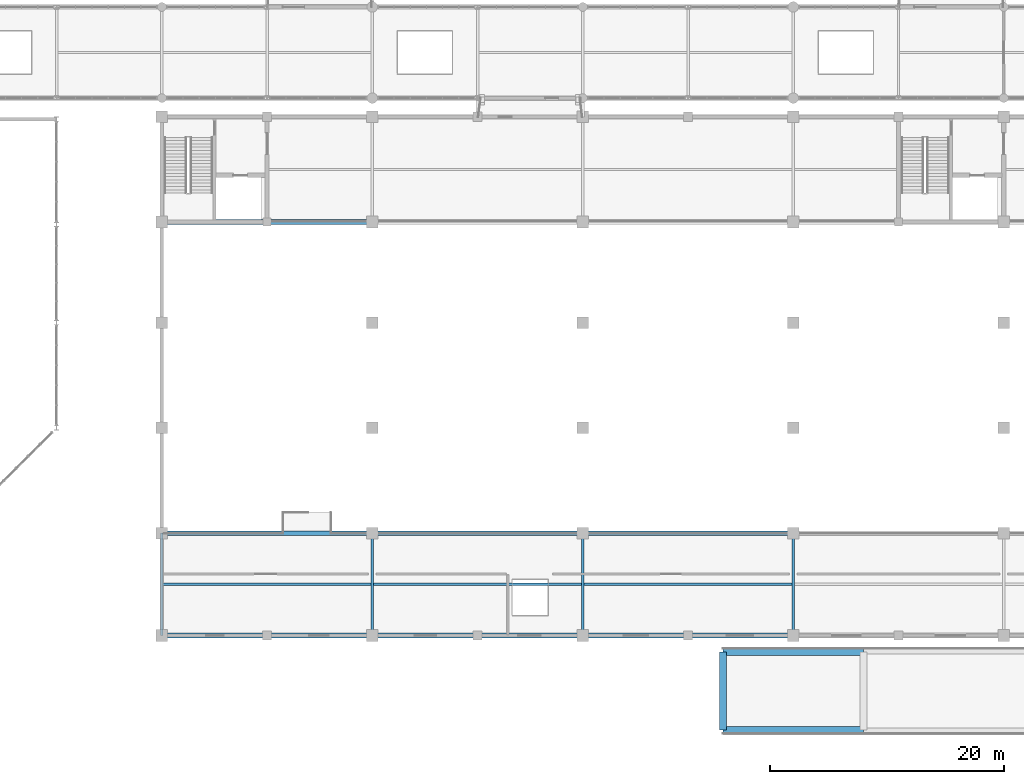
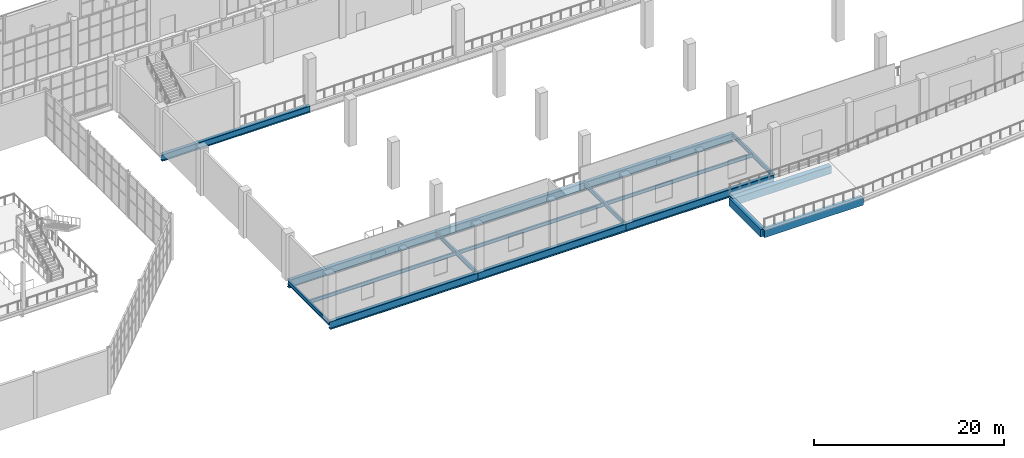
# One storey, part 37 of 159: 17 beams.
"""IFC4 building model written with IfcOpenShell, lengths in metres."""

from ifc_helpers import new_model, si_unit, direction, frame, origin, origin_2d, place, context, subcontext, project, spatial, rectangle, i_section, extrude, material, material_profile, profile_set, type_object, element, save


model = new_model("IFC4")

# Units and contexts
model_context = context("Model", 3, precision=1e-05, world=origin(), true_north=direction((0.0, 1.0)))
body_context = subcontext(model_context, "Body", "Model", "MODEL_VIEW")
ifc_project = project(units=[si_unit("LENGTHUNIT", "METRE"), si_unit("AREAUNIT", "SQUARE_METRE"), si_unit("VOLUMEUNIT", "CUBIC_METRE"), si_unit("PLANEANGLEUNIT", "RADIAN"), si_unit("MASSUNIT", "GRAM", prefix="KILO")], contexts=[model_context])

# Site, building, storey
site_placement = place(None, origin())
site = spatial("IfcSite", under=ifc_project, at=site_placement, CompositionType="ELEMENT")
building_placement = place(site_placement, origin())
building = spatial("IfcBuilding", under=site, at=building_placement, Name="Cazmaro Siding Exhibition Halls", CompositionType="ELEMENT")
storey_placement = place(building_placement, frame((0.0, 0.0, 6.0)))
storey = spatial("IfcBuildingStorey", under=building, at=storey_placement, Name="L01", CompositionType="ELEMENT", Elevation=6.0)

# Beams
ifc_material_1 = material(Name="Steel ASTM A992 Grade 50", Category="steel")
ifc_material_profile_1 = material_profile(ifc_material_1, i_section(OverallWidth=0.214111328125, OverallDepth=0.549072265625, WebThickness=0.014892578125, FlangeThickness=0.02392578125, at=origin_2d()), Name="W21X93")
ifc_profile_set_1 = profile_set([ifc_material_profile_1], Name="Steel ASTM A992 Grade 50")
beam_type_1 = type_object("IfcBeamType", Name="B-01", PredefinedType="BEAM", material=ifc_profile_set_1)
for number, where, z_axis, x_axis, name in (
    (1, (72.0, 9.25, -0.52392578125), (0.0, 1.0, 0.0), (-1.0, 0.0, 0.0), "Beam B-01 BM-1276"),
    (2, (90.0, 9.25, -0.52392578125), (0.0, 1.0, 0.0), (-1.0, 0.0, 0.0), "Beam B-01 BM-1278"),
    (3, (108.0, 9.25, -0.52392578125), (0.0, 1.0, 0.0), (-1.0, 0.0, 0.0), "Beam B-01 BM-1280"),
    (4, (126.0, 9.25, -0.52392578125), (0.0, 1.0, 0.0), (-1.0, 0.0, 0.0), "Beam B-01 BM-1282"),
):
    element("IfcBeam", number, at=place(storey_placement, frame(where, z_axis=z_axis, x_axis=x_axis)), inside=storey, type_object=beam_type_1, Name=name, PredefinedType="BEAM", context=body_context, shape_type="SweptSolid", body=[
        extrude(i_section(OverallWidth=0.214111328125, OverallDepth=0.549072265625, WebThickness=0.014892578125, FlangeThickness=0.02392578125, at=origin_2d()), origin(), (0.0, 0.0, 1.0), 8.75),
    ])
ifc_material_2 = material(Name="Steel ASTM A992 Grade 50", Category="steel")
ifc_material_profile_2 = material_profile(ifc_material_2, i_section(OverallWidth=0.404052734375, OverallDepth=1.02099609375, WebThickness=0.02490234375, FlangeThickness=0.0458984375, at=origin_2d()), Name="W40X324")
ifc_profile_set_2 = profile_set([ifc_material_profile_2], Name="Steel ASTM A992 Grade 50")
beam_type_2 = type_object("IfcBeamType", Name="G-06", PredefinedType="USERDEFINED", material=ifc_profile_set_2)
for number, where, z_axis, x_axis, name in (
    (5, (72.0, 9.25, -0.760986328125), (1.0, 0.0, 0.0), (0.0, 1.0, 0.0), "Beam G-06 BM-1231"),
    (6, (72.0, 18.0, -0.760986328125), (1.0, 0.0, 0.0), (0.0, 1.0, 0.0), "Beam G-06 BM-1232"),
    (7, (90.0, 9.25, -0.760986328125), (1.0, 0.0, 0.0), (0.0, 1.0, 0.0), "Beam G-06 BM-1236"),
    (8, (90.0, 18.0, -0.760986328125), (1.0, 0.0, 0.0), (0.0, 1.0, 0.0), "Beam G-06 BM-1237"),
    (9, (108.0, 9.25, -0.760986328125), (1.0, 0.0, 0.0), (0.0, 1.0, 0.0), "Beam G-06 BM-1242"),
    (10, (108.0, 18.0, -0.760986328125), (1.0, 0.0, 0.0), (0.0, 1.0, 0.0), "Beam G-06 BM-1243"),
):
    element("IfcBeam", number, at=place(storey_placement, frame(where, z_axis=z_axis, x_axis=x_axis)), inside=storey, type_object=beam_type_2, Name=name, ObjectType="GIRDER", PredefinedType="USERDEFINED", context=body_context, shape_type="SweptSolid", body=[
        extrude(i_section(OverallWidth=0.404052734375, OverallDepth=1.02099609375, WebThickness=0.02490234375, FlangeThickness=0.0458984375, at=origin_2d()), origin(), (0.0, 0.0, 1.0), 18.0),
    ])
ifc_material_3 = material(Name="Steel ASTM A992 Grade 50", Category="steel")
ifc_material_profile_3 = material_profile(ifc_material_3, i_section(OverallWidth=0.40087890625, OverallDepth=0.85595703125, WebThickness=0.01806640625, FlangeThickness=0.029052734375, at=origin_2d()), Name="W33X201")
ifc_profile_set_3 = profile_set([ifc_material_profile_3], Name="Steel ASTM A992 Grade 50")
beam_type_3 = type_object("IfcBeamType", Name="G-09", PredefinedType="USERDEFINED", material=ifc_profile_set_3)
beam_1_placement = place(storey_placement, frame((72.0, 44.60009765625, -0.677978515625), z_axis=(1.0, 0.0, 0.0), x_axis=(0.0, 1.0, 0.0)))
element("IfcBeam", 11, at=beam_1_placement, inside=storey, type_object=beam_type_3, Name="Beam G-09 BM-1234", ObjectType="GIRDER", PredefinedType="USERDEFINED", context=body_context, shape_type="SweptSolid", body=[
    extrude(i_section(OverallWidth=0.40087890625, OverallDepth=0.85595703125, WebThickness=0.01806640625, FlangeThickness=0.029052734375, at=origin_2d()), origin(), (0.0, 0.0, 1.0), 18.0),
])
ifc_material_4 = material(Name="Concrete f'c 45 MPa", Category="concrete")
ifc_material_profile_4 = material_profile(ifc_material_4, rectangle(XDim=0.60009765625, YDim=0.949951171875, at=origin_2d()), Name="RC950X600")
ifc_profile_set_4 = profile_set([ifc_material_profile_4], Name="Concrete f'c 45 MPa")
beam_type_4 = type_object("IfcBeamType", Name="G-11", PredefinedType="USERDEFINED", material=ifc_profile_set_4)
beam_2_placement = place(storey_placement, frame((120.0, 1.14990234375, -0.8310546875), z_axis=(0.0, 1.0, 0.0), x_axis=(-1.0, 0.0, 0.0)))
element("IfcBeam", 12, at=beam_2_placement, inside=storey, type_object=beam_type_4, Name="Truck viaduct pier cap beam G-11 BM-2438", ObjectType="GIRDER", PredefinedType="USERDEFINED", context=body_context, shape_type="SweptSolid", body=[
    extrude(rectangle(XDim=0.60009765625, YDim=0.949951171875, at=origin_2d()), origin(), (0.0, 0.0, 1.0), 6.7001953125),
])
for number, where, z_axis, x_axis, name in (
    (13, (120.0, 1.14990234375, -0.824951171875), (1.0, 0.0, 0.0), (0.0, 1.0, 0.0), "Truck viaduct landing girder G-11 BM-2450"),
    (14, (120.0, 7.85009765625, -0.824951171875), (1.0, 0.0, 0.0), (0.0, 1.0, 0.0), "Truck viaduct landing girder G-11 BM-2451"),
):
    element("IfcBeam", number, at=place(storey_placement, frame(where, z_axis=z_axis, x_axis=x_axis)), inside=storey, type_object=beam_type_4, Name=name, ObjectType="GIRDER", PredefinedType="USERDEFINED", context=body_context, shape_type="SweptSolid", body=[
        extrude(rectangle(XDim=0.60009765625, YDim=0.949951171875, at=origin_2d()), origin(), (0.0, 0.0, 1.0), 12.0),
    ])
ifc_material_5 = material(Name="Steel ASTM A992 Grade 50", Category="steel")
ifc_material_profile_5 = material_profile(ifc_material_5, i_section(OverallWidth=0.19091796875, OverallDepth=0.45703125, WebThickness=0.009033203125, FlangeThickness=0.013916015625, at=origin_2d()), Name="W18X50")
ifc_profile_set_5 = profile_set([ifc_material_profile_5], Name="Steel ASTM A992 Grade 50")
beam_type_5 = type_object("IfcBeamType", Name="J-01", PredefinedType="JOIST", material=ifc_profile_set_5)
for number, where, z_axis, x_axis, name in (
    (15, (72.10693359375, 13.625, -0.47900390625), (1.0, 0.0, 0.0), (0.0, 1.0, 0.0), "Beam J-01 BM-1233"),
    (16, (90.10693359375, 13.625, -0.47900390625), (1.0, 0.0, 0.0), (0.0, 1.0, 0.0), "Beam J-01 BM-1238"),
    (17, (108.10693359375, 13.625, -0.47900390625), (1.0, 0.0, 0.0), (0.0, 1.0, 0.0), "Beam J-01 BM-1244"),
):
    element("IfcBeam", number, at=place(storey_placement, frame(where, z_axis=z_axis, x_axis=x_axis)), inside=storey, type_object=beam_type_5, Name=name, PredefinedType="JOIST", context=body_context, shape_type="SweptSolid", body=[
        extrude(i_section(OverallWidth=0.19091796875, OverallDepth=0.45703125, WebThickness=0.009033203125, FlangeThickness=0.013916015625, at=origin_2d()), origin(), (0.0, 0.0, 1.0), 17.7861328125),
    ])

save(model, "model.ifc")
